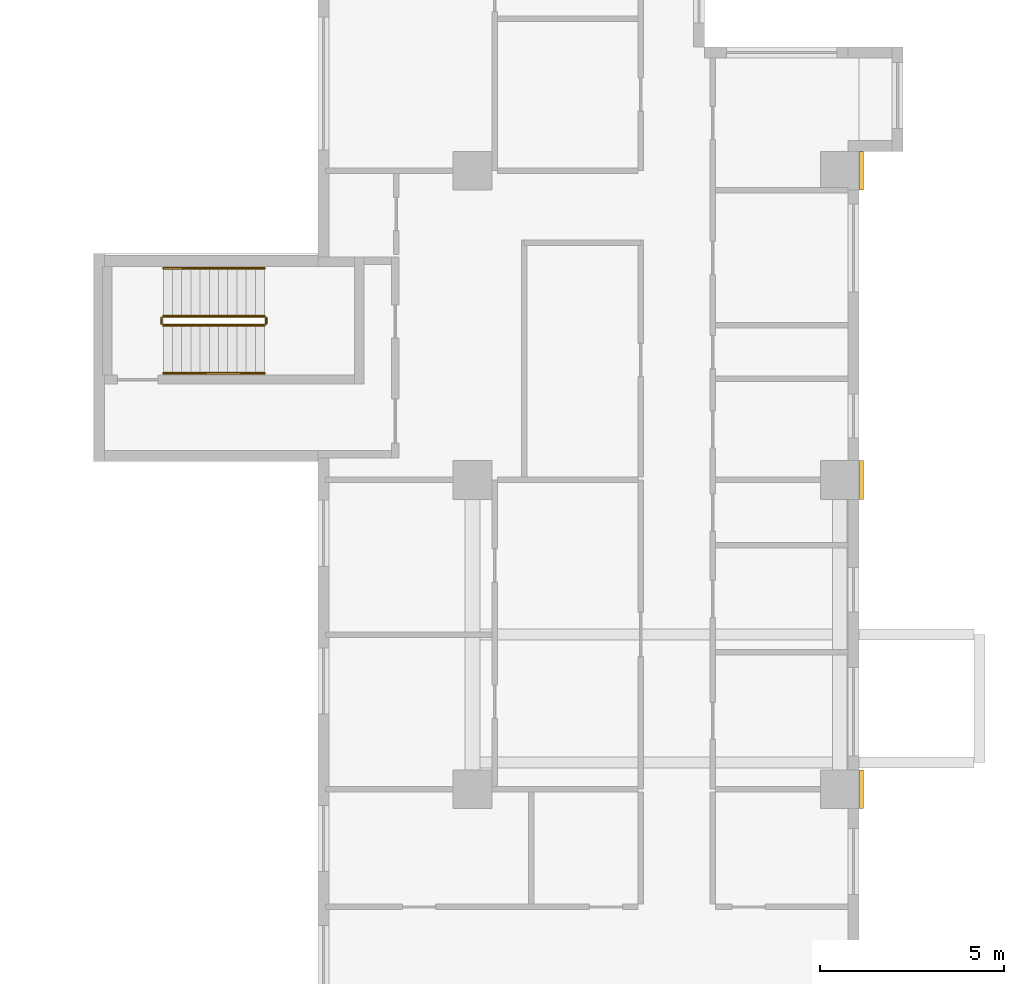
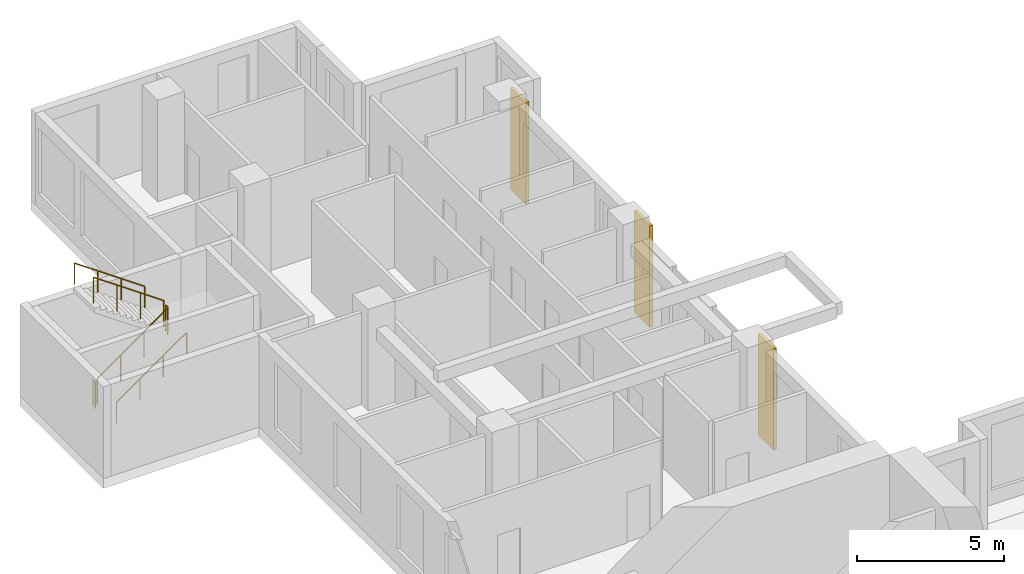
# One storey, part 13 of 14: 6 railings, 3 coverings.
"""IFC4 building model written with IfcOpenShell, lengths in metres."""

from ifc_helpers import new_model, si_unit, direction, frame, origin, origin_2d, place, context, subcontext, project, spatial, rectangle, circle, extrude, source, transform, mapped, material, type_object, element, save


model = new_model("IFC4")

# Units and contexts
model_context = context("Model", 3, precision=1e-05, world=origin(), true_north=direction((0.0, 1.0)))
body_context = subcontext(model_context, "Body", "Model", "MODEL_VIEW")
ifc_project = project(units=[si_unit("LENGTHUNIT", "METRE"), si_unit("AREAUNIT", "SQUARE_METRE"), si_unit("VOLUMEUNIT", "CUBIC_METRE"), si_unit("PLANEANGLEUNIT", "RADIAN"), si_unit("MASSUNIT", "GRAM", prefix="KILO")], contexts=[model_context])

# Site, building, storey
site_placement = place(None, origin())
site = spatial("IfcSite", under=ifc_project, at=site_placement, CompositionType="ELEMENT")
building_placement = place(site_placement, origin())
building = spatial("IfcBuilding", under=site, at=building_placement, Name="Aurelian Terraces", CompositionType="ELEMENT")
storey_placement = place(building_placement, frame((0.0, 0.0, 116.1)))
storey = spatial("IfcBuildingStorey", under=building, at=storey_placement, Name="L25", CompositionType="ELEMENT", Elevation=116.1)

# Coverings
ifc_material_1 = material(Name="Terracotta rainscreen cladding relief", Category="masonry")
covering_type = type_object("IfcCoveringType", Name="BAGUETTE-TC", PredefinedType="CLADDING", material=ifc_material_1)
shared_shape_1 = source(origin(), body_context, "Body", "SweptSolid", [
    extrude(rectangle(XDim=0.12, YDim=1.05, at=origin_2d()), origin(), (0.0, 0.0, 1.0), 4.2),
])
for number, where, z_axis, x_axis, name in (
    (1, (21.06, 29.4, -0.4), (0.0, 0.0, 1.0), (1.0, 0.0, 0.0), "BAGUETTE pier L25 10"),
    (2, (21.06, 37.8, -0.4), (0.0, 0.0, 1.0), (1.0, 0.0, 0.0), "BAGUETTE pier L25 11"),
    (3, (21.06, 46.2, -0.4), (0.0, 0.0, 1.0), (1.0, 0.0, 0.0), "BAGUETTE pier L25 12"),
):
    element("IfcCovering", number, at=place(storey_placement, frame(where, z_axis=z_axis, x_axis=x_axis)), inside=storey, type_object=covering_type, Name=name, PredefinedType="CLADDING", context=body_context, shape_type="MappedRepresentation", body=[
        mapped(shared_shape_1, transform((0.0, 0.0, 0.0), scale=1.0)),
    ])

# Railings
ifc_material_2 = material(Name="Stainless steel", Category="steel")
railing_type_1 = type_object("IfcRailingType", Name="Stair guard 1100", PredefinedType="GUARDRAIL", material=ifc_material_2)
shared_shape_2 = source(origin(), body_context, "Body", "SweptSolid", [
    extrude(circle(Radius=0.024, at=origin_2d()), frame((0.0, 0.0, 1.076), z_axis=(0.0, 1.0, 0.0), x_axis=(-1.0, 0.0, 0.0)), (0.0, 0.0, 1.0), 0.15),
    extrude(circle(Radius=0.021, at=origin_2d()), origin(), (0.0, 0.0, 1.0), 1.052),
    extrude(circle(Radius=0.021, at=origin_2d()), frame((0.0, 0.15, 0.0)), (0.0, 0.0, 1.0), 1.052),
])
for number, where, name in (
    (4, (4.9, 42.05, 2.1), "L25 S3 stair guard 2"),
    (5, (2.05, 42.05, 0.0), "L25 S3 stair guard 4"),
):
    element("IfcRailing", number, at=place(storey_placement, frame(where)), inside=storey, type_object=railing_type_1, Name=name, PredefinedType="GUARDRAIL", context=body_context, shape_type="MappedRepresentation", body=[
        mapped(shared_shape_2, transform((0.0, 0.0, 0.0), scale=1.0)),
    ])
shared_shape_3 = source(origin(), body_context, "Body", "SweptSolid", [
    extrude(circle(Radius=0.024, at=origin_2d()), frame((0.0, 0.0, 1.076), z_axis=(0.819231920519, 0.0, 0.573462344363), x_axis=(0.0, 1.0, 0.0)), (0.0, 0.0, 1.0), 3.3568),
    extrude(circle(Radius=0.021, at=origin_2d()), origin(), (0.0, 0.0, 1.0), 1.052),
    extrude(circle(Radius=0.021, at=origin_2d()), frame((0.9167, 0.0, 0.6417)), (0.0, 0.0, 1.0), 1.052),
    extrude(circle(Radius=0.021, at=origin_2d()), frame((1.8333, 0.0, 1.2833)), (0.0, 0.0, 1.0), 1.052),
    extrude(circle(Radius=0.021, at=origin_2d()), frame((2.75, 0.0, 1.925)), (0.0, 0.0, 1.0), 1.052),
])
railing_1_placement = place(storey_placement, frame((2.1, 42.0, 0.175)))
element("IfcRailing", 6, at=railing_1_placement, inside=storey, type_object=railing_type_1, Name="L25 S3 stair guard 1", PredefinedType="GUARDRAIL", context=body_context, shape_type="MappedRepresentation", body=[
    mapped(shared_shape_3, transform((0.0, 0.0, 0.0), scale=1.0)),
])
shared_shape_4 = source(origin(), body_context, "Body", "SweptSolid", [
    extrude(circle(Radius=0.024, at=origin_2d()), frame((0.0, 0.0, 1.076), z_axis=(-0.819231920519, 0.0, 0.573462344363), x_axis=(0.0, -1.0, 0.0)), (0.0, 0.0, 1.0), 3.3568),
    extrude(circle(Radius=0.021, at=origin_2d()), origin(), (0.0, 0.0, 1.0), 1.052),
    extrude(circle(Radius=0.021, at=origin_2d()), frame((-0.9167, 0.0, 0.6417)), (0.0, 0.0, 1.0), 1.052),
    extrude(circle(Radius=0.021, at=origin_2d()), frame((-1.8333, 0.0, 1.2833)), (0.0, 0.0, 1.0), 1.052),
    extrude(circle(Radius=0.021, at=origin_2d()), frame((-2.75, 0.0, 1.925)), (0.0, 0.0, 1.0), 1.052),
])
railing_2_placement = place(storey_placement, frame((4.85, 42.25, 2.275)))
element("IfcRailing", 7, at=railing_2_placement, inside=storey, type_object=railing_type_1, Name="L25 S3 stair guard 3", PredefinedType="GUARDRAIL", context=body_context, shape_type="MappedRepresentation", body=[
    mapped(shared_shape_4, transform((0.0, 0.0, 0.0), scale=1.0)),
])
railing_type_2 = type_object("IfcRailingType", Name="Stair handrail", PredefinedType="HANDRAIL", material=ifc_material_2)
shared_shape_5 = source(origin(), body_context, "Body", "SweptSolid", [
    extrude(circle(Radius=0.024, at=origin_2d()), frame((0.0, 0.0, 0.876), z_axis=(0.819231920519, 0.0, 0.573462344363), x_axis=(0.0, 1.0, 0.0)), (0.0, 0.0, 1.0), 3.3568),
    extrude(circle(Radius=0.021, at=origin_2d()), origin(), (0.0, 0.0, 1.0), 0.852),
    extrude(circle(Radius=0.021, at=origin_2d()), frame((0.9167, 0.0, 0.6417)), (0.0, 0.0, 1.0), 0.852),
    extrude(circle(Radius=0.021, at=origin_2d()), frame((1.8333, 0.0, 1.2833)), (0.0, 0.0, 1.0), 0.852),
    extrude(circle(Radius=0.021, at=origin_2d()), frame((2.75, 0.0, 1.925)), (0.0, 0.0, 1.0), 0.852),
])
railing_3_placement = place(storey_placement, frame((2.1, 40.7, 0.175)))
element("IfcRailing", 8, at=railing_3_placement, inside=storey, type_object=railing_type_2, Name="L25 S3 stair handrail 1", PredefinedType="HANDRAIL", context=body_context, shape_type="MappedRepresentation", body=[
    mapped(shared_shape_5, transform((0.0, 0.0, 0.0), scale=1.0)),
])
shared_shape_6 = source(origin(), body_context, "Body", "SweptSolid", [
    extrude(circle(Radius=0.024, at=origin_2d()), frame((0.0, 0.0, 0.876), z_axis=(-0.819231920519, 0.0, 0.573462344363), x_axis=(0.0, -1.0, 0.0)), (0.0, 0.0, 1.0), 3.3568),
    extrude(circle(Radius=0.021, at=origin_2d()), origin(), (0.0, 0.0, 1.0), 0.852),
    extrude(circle(Radius=0.021, at=origin_2d()), frame((-0.9167, 0.0, 0.6417)), (0.0, 0.0, 1.0), 0.852),
    extrude(circle(Radius=0.021, at=origin_2d()), frame((-1.8333, 0.0, 1.2833)), (0.0, 0.0, 1.0), 0.852),
    extrude(circle(Radius=0.021, at=origin_2d()), frame((-2.75, 0.0, 1.925)), (0.0, 0.0, 1.0), 0.852),
])
railing_4_placement = place(storey_placement, frame((4.85, 43.55, 2.275)))
element("IfcRailing", 9, at=railing_4_placement, inside=storey, type_object=railing_type_2, Name="L25 S3 stair handrail 2", PredefinedType="HANDRAIL", context=body_context, shape_type="MappedRepresentation", body=[
    mapped(shared_shape_6, transform((0.0, 0.0, 0.0), scale=1.0)),
])

save(model, "model.ifc")
